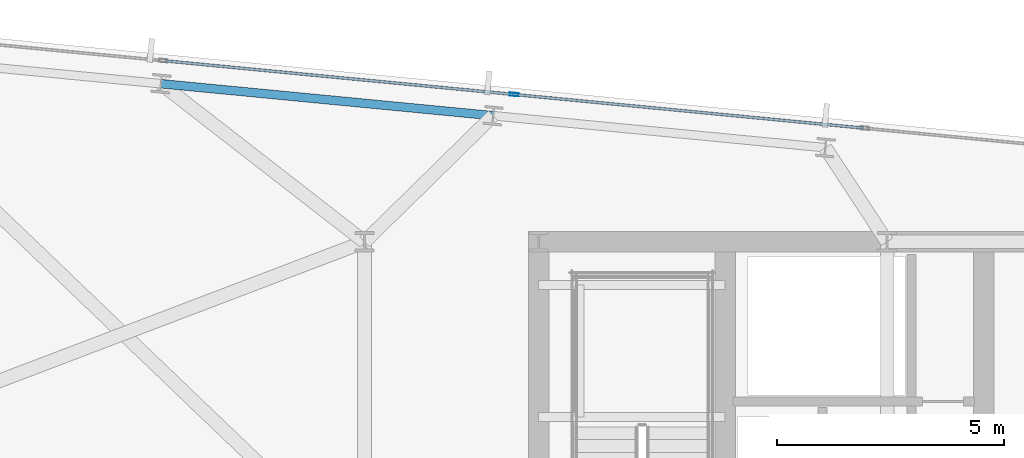
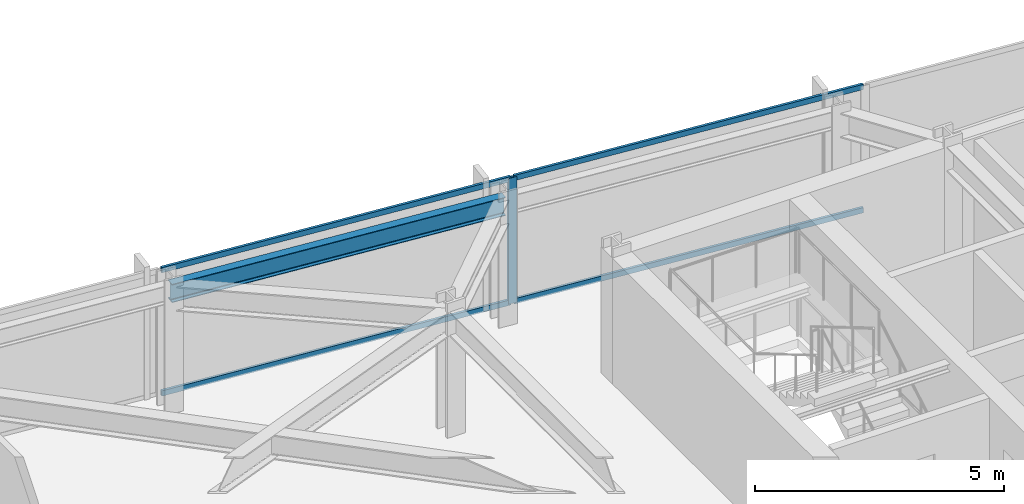
# One storey, part 25 of 37: 5 members, 1 beam, 1 element without a shape of its own.
"""IFC4 building model written with IfcOpenShell, lengths in metres."""

from ifc_helpers import new_model, si_unit, direction, frame, origin, origin_2d, place, context, subcontext, project, spatial, hollow_rectangle, i_section, extrude, material, material_profile, profile_set, type_object, element, aggregate, save


model = new_model("IFC4")

# Units and contexts
model_context = context("Model", 3, precision=1e-05, world=origin(), true_north=direction((0.0, 1.0)))
body_context = subcontext(model_context, "Body", "Model", "MODEL_VIEW")
ifc_project = project(units=[si_unit("LENGTHUNIT", "METRE"), si_unit("AREAUNIT", "SQUARE_METRE"), si_unit("VOLUMEUNIT", "CUBIC_METRE"), si_unit("PLANEANGLEUNIT", "RADIAN"), si_unit("MASSUNIT", "GRAM", prefix="KILO")], contexts=[model_context])

# Site, building, storey
site_placement = place(None, origin())
site = spatial("IfcSite", under=ifc_project, at=site_placement, CompositionType="ELEMENT")
building_placement = place(site_placement, origin())
building = spatial("IfcBuilding", under=site, at=building_placement, Name="Yelkora Congress Tower", CompositionType="ELEMENT")
storey_placement = place(building_placement, frame((0.0, 0.0, 175.39990234375)))
storey = spatial("IfcBuildingStorey", under=building, at=storey_placement, Name="L48", CompositionType="ELEMENT", Elevation=175.39990234375)

# Beam
ifc_material_1 = material(Name="Steel S355J2", Category="steel")
ifc_material_profile_1 = material_profile(ifc_material_1, i_section(OverallWidth=0.18994140625, OverallDepth=0.449951171875, WebThickness=0.009521484375, FlangeThickness=0.0146484375, FilletRadius=0.02099609375, at=origin_2d()), Name="IPE 450")
ifc_profile_set_1 = profile_set([ifc_material_profile_1], Name="Steel S355J2")
beam_type = type_object("IfcBeamType", Name="BM-SPAN-IPE450", PredefinedType="SPANDREL", material=ifc_profile_set_1)
beam_placement = place(storey_placement, frame((22.035400390625, 48.980224609375, 2.85498046875), z_axis=(-0.995393938538, 0.095869218844, 0.0), x_axis=(-0.095869218844, -0.995393938538, 0.0)))
element("IfcBeam", 1, at=beam_placement, inside=storey, type_object=beam_type, Name="L48 Perimeter Beam 14", PredefinedType="SPANDREL", context=body_context, shape_type="SweptSolid", body=[
    extrude(i_section(OverallWidth=0.18994140625, OverallDepth=0.449951171875, WebThickness=0.009521484375, FlangeThickness=0.0146484375, FilletRadius=0.02099609375, at=origin_2d()), origin(), (0.0, 0.0, 1.0), 7.357177734375),
])

# Curtain wall, members
ifc_material_2 = material(Name="Anodised aluminium and insulated glass", Category="aluminium")
curtain_wall_type = type_object("IfcCurtainWallType", Name="CW-SYS-B3", PredefinedType="NOTDEFINED", material=ifc_material_2)
curtain_wall_placement = place(storey_placement, origin())
curtain_wall = element("IfcCurtainWall", 2, at=curtain_wall_placement, inside=storey, type_object=curtain_wall_type, Name="L48 Unitised Curtain Wall 10 (1)", PredefinedType="NOTDEFINED")
ifc_material_3 = material(Name="Anodised aluminium 6063-T6", Category="aluminium")
ifc_material_profile_2 = material_profile(ifc_material_3, hollow_rectangle(XDim=0.070068359375, YDim=0.18994140625, WallThickness=0.00390625, at=origin_2d()), Name="ALU 70x190x4")
ifc_profile_set_2 = profile_set([ifc_material_profile_2], Name="Anodised aluminium 6063-T6")
member_type_1 = type_object("IfcMemberType", Name="MEM-ML-B3", PredefinedType="MULLION", material=ifc_profile_set_2)
member_1_placement = place(storey_placement, frame((22.496826171875, 49.4482421875, 0.0), z_axis=(0.0, 0.0, 1.0), x_axis=(0.095844761168, 0.995396293823, 0.0)))
member_1 = element("IfcMember", 3, at=member_1_placement, type_object=member_type_1, Name="CW-B3 mullion 3", PredefinedType="MULLION", context=body_context, shape_type="SweptSolid", body=[
    extrude(hollow_rectangle(XDim=0.070068359375, YDim=0.18994140625, WallThickness=0.00390625, at=origin_2d()), origin(), (0.0, 0.0, 1.0), 3.080078125),
])
ifc_material_profile_3 = material_profile(ifc_material_3, hollow_rectangle(XDim=0.06005859375, YDim=0.1298828125, WallThickness=0.00390625, at=origin_2d()), Name="ALU 60x130x4")
ifc_profile_set_3 = profile_set([ifc_material_profile_3], Name="Anodised aluminium 6063-T6")
member_type_2 = type_object("IfcMemberType", Name="MEM-TR-B3", PredefinedType="USERDEFINED", material=ifc_profile_set_3)
member_2_placement = place(storey_placement, frame((14.798095703125, 50.189697265625, 0.030029296875), z_axis=(0.995395016973, -0.095858020971, 0.0), x_axis=(0.095858020971, 0.995395016973, 0.0)))
member_2 = element("IfcMember", 4, at=member_2_placement, type_object=member_type_2, Name="CW-B3 transom 2.1", ObjectType="TRANSOM", PredefinedType="USERDEFINED", context=body_context, shape_type="SweptSolid", body=[
    extrude(hollow_rectangle(XDim=0.06005859375, YDim=0.1298828125, WallThickness=0.00390625, at=origin_2d()), origin(), (0.0, 0.0, 1.0), 7.69921875),
])
member_3_placement = place(storey_placement, frame((14.798095703125, 50.189697265625, 3.050048828125), z_axis=(0.995395016973, -0.095858020971, 0.0), x_axis=(0.095858020971, 0.995395016973, 0.0)))
member_3 = element("IfcMember", 5, at=member_3_placement, type_object=member_type_2, Name="CW-B3 transom 2.2", ObjectType="TRANSOM", PredefinedType="USERDEFINED", context=body_context, shape_type="SweptSolid", body=[
    extrude(hollow_rectangle(XDim=0.06005859375, YDim=0.1298828125, WallThickness=0.00390625, at=origin_2d()), origin(), (0.0, 0.0, 1.0), 7.69921875),
])
member_4_placement = place(storey_placement, frame((22.531494140625, 49.44482421875, 0.030029296875), z_axis=(0.995398333273, -0.095823578082, 0.0), x_axis=(0.095823578082, 0.995398333273, 0.0)))
member_4 = element("IfcMember", 6, at=member_4_placement, type_object=member_type_2, Name="CW-B3 transom 3.1", ObjectType="TRANSOM", PredefinedType="USERDEFINED", context=body_context, shape_type="SweptSolid", body=[
    extrude(hollow_rectangle(XDim=0.06005859375, YDim=0.1298828125, WallThickness=0.00390625, at=origin_2d()), origin(), (0.0, 0.0, 1.0), 7.699462890625),
])
member_5_placement = place(storey_placement, frame((22.531494140625, 49.44482421875, 3.050048828125), z_axis=(0.995398333273, -0.095823578082, 0.0), x_axis=(0.095823578082, 0.995398333273, 0.0)))
member_5 = element("IfcMember", 7, at=member_5_placement, type_object=member_type_2, Name="CW-B3 transom 3.2", ObjectType="TRANSOM", PredefinedType="USERDEFINED", context=body_context, shape_type="SweptSolid", body=[
    extrude(hollow_rectangle(XDim=0.06005859375, YDim=0.1298828125, WallThickness=0.00390625, at=origin_2d()), origin(), (0.0, 0.0, 1.0), 7.699462890625),
])
aggregate(curtain_wall, [member_1, member_2, member_3, member_4, member_5])

save(model, "model.ifc")
